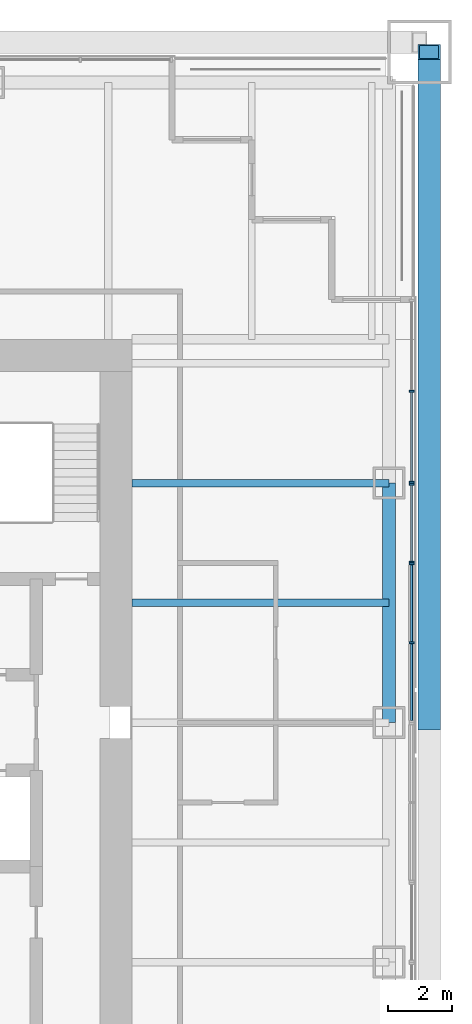
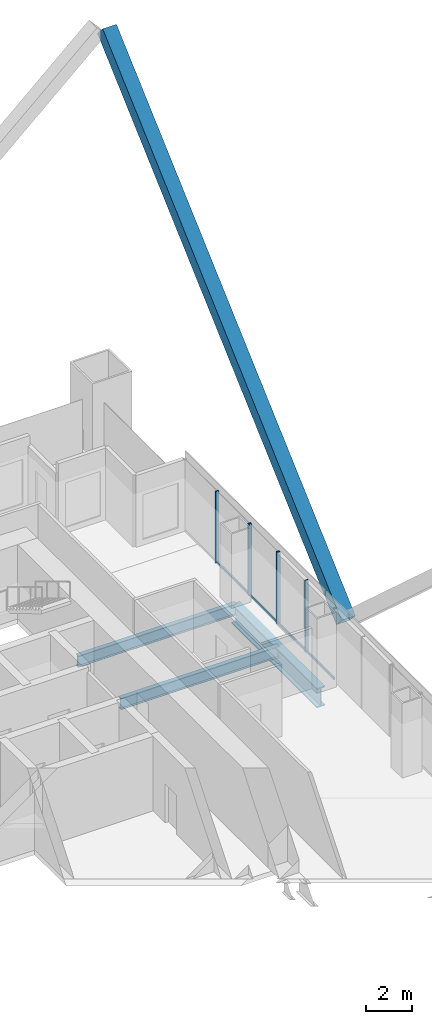
# One storey, part 9 of 19: 11 members, 3 beams, 3 elements without a shape of their own.
"""IFC4 building model written with IfcOpenShell, lengths in metres."""

from ifc_helpers import new_model, si_unit, direction, frame, origin, origin_2d, place, context, subcontext, project, spatial, rectangle, hollow_rectangle, i_section, extrude, material, material_profile, profile_set, type_object, element, aggregate, save


model = new_model("IFC4")

# Units and contexts
model_context = context("Model", 3, precision=1e-05, world=origin(), true_north=direction((0.0, 1.0)))
body_context = subcontext(model_context, "Body", "Model", "MODEL_VIEW")
ifc_project = project(units=[si_unit("LENGTHUNIT", "METRE"), si_unit("AREAUNIT", "SQUARE_METRE"), si_unit("VOLUMEUNIT", "CUBIC_METRE"), si_unit("PLANEANGLEUNIT", "RADIAN"), si_unit("MASSUNIT", "GRAM", prefix="KILO")], contexts=[model_context])

# Site, building, storey
site_placement = place(None, origin())
site = spatial("IfcSite", under=ifc_project, at=site_placement, CompositionType="ELEMENT")
building_placement = place(site_placement, origin())
building = spatial("IfcBuilding", under=site, at=building_placement, Name="Tarangal Relay Tower", CompositionType="ELEMENT")
storey_placement = place(building_placement, frame((0.0, 0.0, 275.89990234375)))
storey = spatial("IfcBuildingStorey", under=building, at=storey_placement, Name="L60", CompositionType="ELEMENT", Elevation=275.89990234375)

# Beams
ifc_material_1 = material(Name="Steel ASTM A992", Category="steel")
ifc_material_profile_1 = material_profile(ifc_material_1, i_section(OverallWidth=0.41162109375, OverallDepth=1.049072265625, WebThickness=0.033935546875, FlangeThickness=0.059814453125, at=origin_2d()), Name="W40X431")
ifc_profile_set_1 = profile_set([ifc_material_profile_1], Name="Steel ASTM A992")
beam_type_1 = type_object("IfcBeamType", Name="Edge girder W40X431", PredefinedType="SPANDREL", material=ifc_profile_set_1)
beam_placement = place(storey_placement, frame((20.0400390625, 7.5, -0.67431640625), z_axis=(0.0, -1.0, 0.0), x_axis=(1.0, 0.0, 0.0)))
element("IfcBeam", 1, at=beam_placement, inside=storey, type_object=beam_type_1, Name="Edge girder EG1 E L60", PredefinedType="SPANDREL", context=body_context, shape_type="SweptSolid", body=[
    extrude(i_section(OverallWidth=0.41162109375, OverallDepth=1.049072265625, WebThickness=0.033935546875, FlangeThickness=0.059814453125, at=origin_2d()), origin(), (0.0, 0.0, 1.0), 7.5),
])
ifc_material_profile_2 = material_profile(ifc_material_1, i_section(OverallWidth=0.228271484375, OverallDepth=0.607177734375, WebThickness=0.01123046875, FlangeThickness=0.017333984375, at=origin_2d()), Name="W24X76")
ifc_profile_set_2 = profile_set([ifc_material_profile_2], Name="Steel ASTM A992")
beam_type_2 = type_object("IfcBeamType", Name="Floor beam W24X76", PredefinedType="BEAM", material=ifc_profile_set_2)
for number, where, z_axis, x_axis, name in (
    (2, (12.0, 7.5, -0.453369140625), (1.0, 0.0, 0.0), (0.0, 1.0, 0.0), "Floor beam RB5 E L60"),
    (3, (12.0, 3.75, -0.453369140625), (1.0, 0.0, 0.0), (0.0, 1.0, 0.0), "Floor beam RB5 E L60"),
):
    element("IfcBeam", number, at=place(storey_placement, frame(where, z_axis=z_axis, x_axis=x_axis)), inside=storey, type_object=beam_type_2, Name=name, PredefinedType="BEAM", context=body_context, shape_type="SweptSolid", body=[
        extrude(i_section(OverallWidth=0.228271484375, OverallDepth=0.607177734375, WebThickness=0.01123046875, FlangeThickness=0.017333984375, at=origin_2d()), origin(), (0.0, 0.0, 1.0), 8.0400390625),
    ])

# Member
ifc_material_2 = material(Name="Steel ASTM A572 Grade 50", Category="steel")
ifc_material_profile_3 = material_profile(ifc_material_2, hollow_rectangle(XDim=0.699951171875, YDim=0.699951171875, WallThickness=0.052001953125, at=origin_2d()), Name="BOX700X700X52")
ifc_profile_set_3 = profile_set([ifc_material_profile_3], Name="Steel ASTM A572 Grade 50")
member_type_1 = type_object("IfcMemberType", Name="Mega brace BOX700X700X52", PredefinedType="BRACE", material=ifc_profile_set_3)
member_1_placement = place(storey_placement, frame((21.300048828125, 0.0, 3.0), z_axis=(0.0, 0.741535779124, 0.670913323969), x_axis=(-1.0, 0.0, 0.0)))
element("IfcMember", 4, at=member_1_placement, inside=storey, type_object=member_type_1, Name="Mega brace MB4 E face module 1", PredefinedType="BRACE", context=body_context, shape_type="SweptSolid", body=[
    extrude(hollow_rectangle(XDim=0.699951171875, YDim=0.699951171875, WallThickness=0.052001953125, at=origin_2d()), origin(), (0.0, 0.0, 1.0), 28.319580078125),
])

# Curtain wall, members
ifc_material_3 = material(Name="Unitised curtain wall, dark glass and black aluminium", Category="aluminium")
curtain_wall_type_1 = type_object("IfcCurtainWallType", Name="Curtain wall CW-B", PredefinedType="USERDEFINED", material=ifc_material_3)
curtain_wall_1_placement = place(storey_placement, origin())
curtain_wall_1 = element("IfcCurtainWall", 5, at=curtain_wall_1_placement, inside=storey, type_object=curtain_wall_type_1, Name="Curtain wall CW-B E facade L60", ObjectType="UNITISED CURTAIN WALL", PredefinedType="USERDEFINED")
ifc_material_4 = material(Name="Black anodised aluminium mullion", Category="aluminium")
ifc_material_profile_4 = material_profile(ifc_material_4, rectangle(XDim=0.159912109375, YDim=0.06005859375, at=origin_2d()), Name="CW-BM 60X160")
ifc_profile_set_4 = profile_set([ifc_material_profile_4], Name="Black anodised aluminium mullion")
member_type_2 = type_object("IfcMemberType", Name="Mullion CW-B 60 x 160", PredefinedType="MULLION", material=ifc_profile_set_4)
member_2_placement = place(storey_placement, frame((20.75, 10.375, 0.0), z_axis=(0.0, 0.0, 1.0), x_axis=(1.0, 0.0, 0.0)))
member_2 = element("IfcMember", 6, at=member_2_placement, type_object=member_type_2, Name="CW-B mullion 2", PredefinedType="MULLION", context=body_context, shape_type="SweptSolid", body=[
    extrude(rectangle(XDim=0.159912109375, YDim=0.06005859375, at=origin_2d()), origin(), (0.0, 0.0, 1.0), 3.85009765625),
])
member_3_placement = place(storey_placement, frame((20.75, 7.530029296875, 0.0), z_axis=(0.0, 0.0, 1.0), x_axis=(1.0, 0.0, 0.0)))
member_3 = element("IfcMember", 7, at=member_3_placement, type_object=member_type_2, Name="CW-B mullion 3", PredefinedType="MULLION", context=body_context, shape_type="SweptSolid", body=[
    extrude(rectangle(XDim=0.159912109375, YDim=0.06005859375, at=origin_2d()), origin(), (0.0, 0.0, 1.0), 3.85009765625),
])

curtain_wall_2_placement = place(storey_placement, origin())
curtain_wall_2 = element("IfcCurtainWall", 8, at=curtain_wall_2_placement, inside=storey, type_object=curtain_wall_type_1, Name="Curtain wall CW-B E facade L60", ObjectType="UNITISED CURTAIN WALL", PredefinedType="USERDEFINED")
member_4_placement = place(storey_placement, frame((20.75, 7.469970703125, 0.0), z_axis=(0.0, 0.0, 1.0), x_axis=(1.0, 0.0, 0.0)))
member_4 = element("IfcMember", 9, at=member_4_placement, type_object=member_type_2, Name="CW-B mullion 1", PredefinedType="MULLION", context=body_context, shape_type="SweptSolid", body=[
    extrude(rectangle(XDim=0.159912109375, YDim=0.06005859375, at=origin_2d()), origin(), (0.0, 0.0, 1.0), 3.85009765625),
])
member_5_placement = place(storey_placement, frame((20.75, 5.030029296875, 0.0), z_axis=(0.0, 0.0, 1.0), x_axis=(1.0, 0.0, 0.0)))
member_5 = element("IfcMember", 10, at=member_5_placement, type_object=member_type_2, Name="CW-B mullion 2", PredefinedType="MULLION", context=body_context, shape_type="SweptSolid", body=[
    extrude(rectangle(XDim=0.159912109375, YDim=0.06005859375, at=origin_2d()), origin(), (0.0, 0.0, 1.0), 3.85009765625),
])

ifc_material_5 = material(Name="Unitised curtain wall frame, black aluminium, with metal clad infill walls", Category="aluminium")
curtain_wall_type_2 = type_object("IfcCurtainWallType", Name="Curtain wall CW-BO", PredefinedType="USERDEFINED", material=ifc_material_5)
curtain_wall_3_placement = place(storey_placement, origin())
curtain_wall_3 = element("IfcCurtainWall", 11, at=curtain_wall_3_placement, inside=storey, type_object=curtain_wall_type_2, Name="Curtain wall CW-BO E facade L60", ObjectType="UNITISED CURTAIN WALL", PredefinedType="USERDEFINED")
ifc_material_profile_5 = material_profile(ifc_material_4, rectangle(XDim=0.159912109375, YDim=0.06005859375, at=origin_2d()), Name="CW-BOM 60X160")
ifc_profile_set_5 = profile_set([ifc_material_profile_5], Name="Black anodised aluminium mullion")
member_type_3 = type_object("IfcMemberType", Name="Mullion CW-BO 60 x 160", PredefinedType="MULLION", material=ifc_profile_set_5)
member_6_placement = place(storey_placement, frame((20.75, 4.969970703125, 0.0), z_axis=(0.0, 0.0, 1.0), x_axis=(1.0, 0.0, 0.0)))
member_6 = element("IfcMember", 12, at=member_6_placement, type_object=member_type_3, Name="CW-BO mullion 1", PredefinedType="MULLION", context=body_context, shape_type="SweptSolid", body=[
    extrude(rectangle(XDim=0.159912109375, YDim=0.06005859375, at=origin_2d()), origin(), (0.0, 0.0, 1.0), 3.85009765625),
])
member_7_placement = place(storey_placement, frame((20.75, 2.5, 0.0), z_axis=(0.0, 0.0, 1.0), x_axis=(1.0, 0.0, 0.0)))
member_7 = element("IfcMember", 13, at=member_7_placement, type_object=member_type_3, Name="CW-BO mullion 2", PredefinedType="MULLION", context=body_context, shape_type="SweptSolid", body=[
    extrude(rectangle(XDim=0.159912109375, YDim=0.06005859375, at=origin_2d()), origin(), (0.0, 0.0, 1.0), 3.85009765625),
])

# Member
ifc_material_6 = material(Name="Black anodised aluminium transom", Category="aluminium")
ifc_material_profile_6 = material_profile(ifc_material_6, rectangle(XDim=0.06005859375, YDim=0.1298828125, at=origin_2d()), Name="CW-BT 60X130")
ifc_profile_set_6 = profile_set([ifc_material_profile_6], Name="Black anodised aluminium transom")
member_type_4 = type_object("IfcMemberType", Name="Transom CW-B 60 x 130", PredefinedType="USERDEFINED", material=ifc_profile_set_6)
member_8_placement = place(storey_placement, frame((20.75, 10.344970703125, 0.030029296875), z_axis=(0.0, -1.0, 0.0), x_axis=(1.0, 0.0, 0.0)))
member_8 = element("IfcMember", 14, at=member_8_placement, type_object=member_type_4, Name="CW-B transom 2.1", ObjectType="TRANSOM", PredefinedType="USERDEFINED", context=body_context, shape_type="SweptSolid", body=[
    extrude(rectangle(XDim=0.06005859375, YDim=0.1298828125, at=origin_2d()), origin(), (0.0, 0.0, 1.0), 2.784912109375),
])

aggregate(curtain_wall_1, [member_2, member_3, member_8])

member_9_placement = place(storey_placement, frame((20.75, 7.43994140625, 0.030029296875), z_axis=(0.0, -1.0, 0.0), x_axis=(1.0, 0.0, 0.0)))
member_9 = element("IfcMember", 15, at=member_9_placement, type_object=member_type_4, Name="CW-B transom 1.1", ObjectType="TRANSOM", PredefinedType="USERDEFINED", context=body_context, shape_type="SweptSolid", body=[
    extrude(rectangle(XDim=0.06005859375, YDim=0.1298828125, at=origin_2d()), origin(), (0.0, 0.0, 1.0), 2.3798828125),
])

aggregate(curtain_wall_2, [member_4, member_5, member_9])

ifc_material_profile_7 = material_profile(ifc_material_6, rectangle(XDim=0.06005859375, YDim=0.1298828125, at=origin_2d()), Name="CW-BOT 60X130")
ifc_profile_set_7 = profile_set([ifc_material_profile_7], Name="Black anodised aluminium transom")
member_type_5 = type_object("IfcMemberType", Name="Transom CW-BO 60 x 130", PredefinedType="USERDEFINED", material=ifc_profile_set_7)
member_10_placement = place(storey_placement, frame((20.75, 4.93994140625, 0.030029296875), z_axis=(0.0, -1.0, 0.0), x_axis=(1.0, 0.0, 0.0)))
member_10 = element("IfcMember", 16, at=member_10_placement, type_object=member_type_5, Name="CW-BO transom 1.1", ObjectType="TRANSOM", PredefinedType="USERDEFINED", context=body_context, shape_type="SweptSolid", body=[
    extrude(rectangle(XDim=0.06005859375, YDim=0.1298828125, at=origin_2d()), origin(), (0.0, 0.0, 1.0), 2.409912109375),
])

member_11_placement = place(storey_placement, frame((20.75, 2.469970703125, 0.030029296875), z_axis=(0.0, -1.0, 0.0), x_axis=(1.0, 0.0, 0.0)))
member_11 = element("IfcMember", 17, at=member_11_placement, type_object=member_type_5, Name="CW-BO transom 2.1", ObjectType="TRANSOM", PredefinedType="USERDEFINED", context=body_context, shape_type="SweptSolid", body=[
    extrude(rectangle(XDim=0.06005859375, YDim=0.1298828125, at=origin_2d()), origin(), (0.0, 0.0, 1.0), 2.409912109375),
])

aggregate(curtain_wall_3, [member_6, member_7, member_10, member_11])

save(model, "model.ifc")
